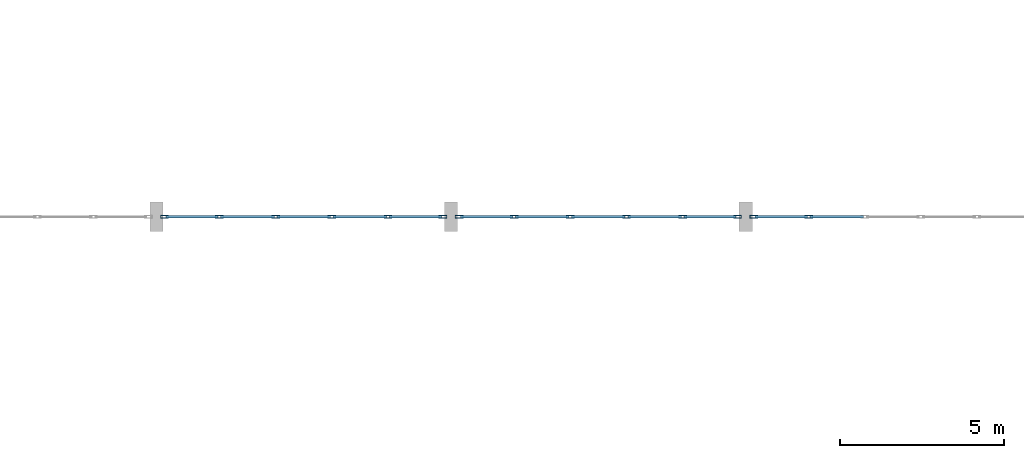
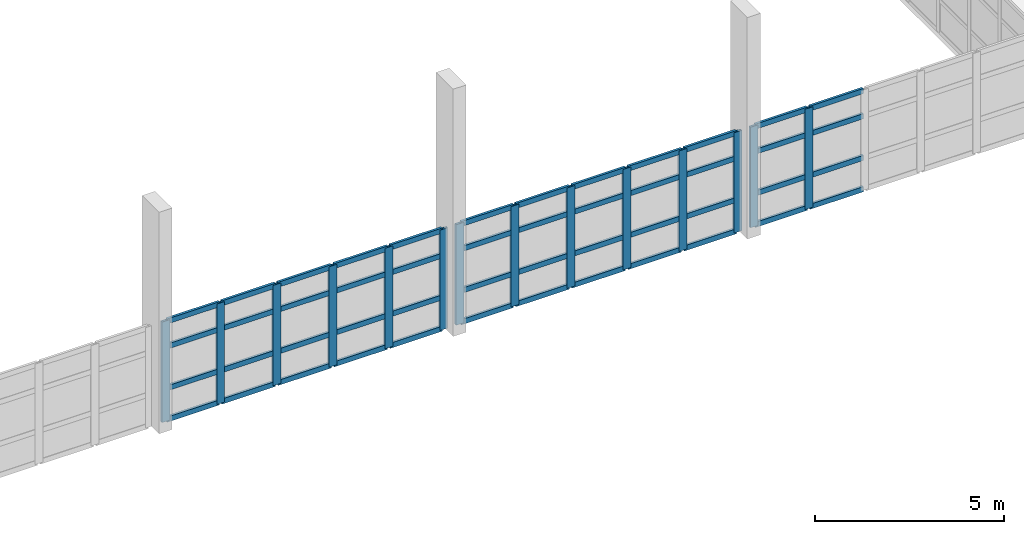
# One storey, part 10 of 80: 62 members, 3 elements without a shape of their own.
"""IFC4 building model written with IfcOpenShell, lengths in metres."""

import ifcopenshell
import ifcopenshell.guid

model = None  # the IFC model being written
_history = None  # IfcOwnerHistory: only IFC2X3 demands one
_inside = {}  # id of a spatial element -> (the spatial element, [elements in it])
_under = {}  # id of a project, library or spatial element -> (it, [spatial elements below it])
_declared = {}  # id of a project -> (the project, [libraries it declares])
_typed = {}  # id of a type object -> (the type object, [elements of that type])
_made_of = {}  # id of a material, layer set ... -> (it, [elements and type objects made of it])


def new_model(schema):
    """Start an empty IFC model of exactly this schema.

    Asked for "IFC4X3", IfcOpenShell would pick the latest addendum, in which some entities
    have other attributes; the version numbers below select the first issue.
    IFC2X3 requires an IfcOwnerHistory on every rooted entity: one is made here for all.
    """
    global model, _history
    if schema == "IFC4X3":
        model = ifcopenshell.file(schema_version=(4, 3, 0, 0))
    else:
        model = ifcopenshell.file(schema=schema)
    _inside.clear()
    _under.clear()
    _declared.clear()
    _typed.clear()
    _made_of.clear()
    _history = None
    if model.schema == "IFC2X3":
        org = make("IfcOrganization", Name="unknown")
        user = make(
            "IfcPersonAndOrganization",
            ThePerson=make("IfcPerson", FamilyName="unknown"),
            TheOrganization=org,
        )
        app = make(
            "IfcApplication",
            ApplicationDeveloper=org,
            Version="unknown",
            ApplicationFullName="unknown",
            ApplicationIdentifier="unknown",
        )
        _history = make(
            "IfcOwnerHistory",
            OwningUser=user,
            OwningApplication=app,
            ChangeAction="ADDED",
            CreationDate=0,
        )
    return model


def make(cls, **values):
    """One entity of the class cls with the attributes given. An attribute that is None is left unset."""
    return model.create_entity(
        cls, **{name: value for name, value in values.items() if value is not None}
    )


def rooted(cls, **values):
    """An entity with a GlobalId (a new one), such as an element, a storey or a relation."""
    return make(cls, GlobalId=ifcopenshell.guid.new(), OwnerHistory=_history, **values)


def si_unit(unit_type, name, prefix=None):
    """IfcSIUnit, for example si_unit("LENGTHUNIT", "METRE", prefix="MILLI")."""
    return make("IfcSIUnit", UnitType=unit_type, Prefix=prefix, Name=name)


def assignment(units):
    """IfcUnitAssignment: the units of a project."""
    return None if units is None else make("IfcUnitAssignment", Units=units)


def point(xyz):
    """IfcCartesianPoint."""
    return None if xyz is None else make("IfcCartesianPoint", Coordinates=xyz)


def direction(xyz):
    """IfcDirection."""
    return None if xyz is None else make("IfcDirection", DirectionRatios=xyz)


def frame(location, z_axis=None, x_axis=None):
    """IfcAxis2Placement3D, a coordinate frame: its origin and axes. An axis left out is left unset."""
    return make(
        "IfcAxis2Placement3D",
        Location=point(location),
        Axis=direction(z_axis),
        RefDirection=direction(x_axis),
    )


def frame_2d(location, x_axis=None):
    """IfcAxis2Placement2D, a coordinate frame in the plane: its origin and x axis."""
    return make(
        "IfcAxis2Placement2D", Location=point(location), RefDirection=direction(x_axis)
    )


def origin():
    """The frame at (0, 0, 0) with its axes left unset."""
    return frame((0.0, 0.0, 0.0))


def origin_2d():
    """The frame at (0, 0) in the plane with its x axis left unset."""
    return frame_2d((0.0, 0.0))


def place(relative_to, where):
    """IfcLocalPlacement: puts the frame where relative to a parent placement (None: the world)."""
    return make(
        "IfcLocalPlacement", PlacementRelTo=relative_to, RelativePlacement=where
    )


def context(
    kind, dimensions, precision=None, world=None, true_north=None, identifier=None
):
    """IfcGeometricRepresentationContext, for example the 3D "Model" context."""
    return make(
        "IfcGeometricRepresentationContext",
        ContextIdentifier=identifier,
        ContextType=kind,
        CoordinateSpaceDimension=dimensions,
        Precision=precision,
        WorldCoordinateSystem=world,
        TrueNorth=true_north,
    )


def subcontext(parent, identifier, kind, view, scale=None):
    """IfcGeometricRepresentationSubContext, for example "Body" below "Model"."""
    return make(
        "IfcGeometricRepresentationSubContext",
        ContextIdentifier=identifier,
        ContextType=kind,
        ParentContext=parent,
        TargetScale=scale,
        TargetView=view,
    )


def project(units=None, contexts=None):
    """IfcProject with its units and contexts."""
    return rooted(
        "IfcProject",
        Name="project",
        RepresentationContexts=contexts,
        UnitsInContext=assignment(units),
    )


def spatial(cls, under=None, at=None, **own):
    """A site, building, storey or space (cls), placed at a placement, below another one or the project."""
    s = rooted(cls, ObjectPlacement=at, **own)
    if under is not None:
        _under.setdefault(under.id(), (under, []))[1].append(s)
    return s


def profile(cls, at=None, kind="AREA", **sizes):
    """A parametric profile (cls). Its sizes go by their IFC names, for example OverallWidth=200.0."""
    return make(cls, ProfileType=kind, Position=at, **sizes)


def hollow_rectangle(**sizes):
    """IfcRectangleHollowProfileDef."""
    return profile("IfcRectangleHollowProfileDef", **sizes)


def extrude(swept, where, along, depth):
    """IfcExtrudedAreaSolid: the profile swept, set in the frame where, extruded along a direction by depth."""
    return make(
        "IfcExtrudedAreaSolid",
        SweptArea=swept,
        Position=where,
        ExtrudedDirection=direction(along),
        Depth=depth,
    )


def shape(context_of_items, identifier, shape_type, items):
    """IfcShapeRepresentation: the items that make up one representation, for example the "Body"."""
    return make(
        "IfcShapeRepresentation",
        ContextOfItems=context_of_items,
        RepresentationIdentifier=identifier,
        RepresentationType=shape_type,
        Items=items,
    )


def material(Name=None, Category=None):
    """IfcMaterial."""
    return make("IfcMaterial", Name=Name, Category=Category)


def layer(
    of_material, thickness, ventilated=None, Name=None, Category=None, Priority=None
):
    """IfcMaterialLayer: one layer of a wall or slab, of a material (None: an air gap)."""
    return make(
        "IfcMaterialLayer",
        Material=of_material,
        LayerThickness=thickness,
        IsVentilated=ventilated,
        Name=Name,
        Category=Category,
        Priority=Priority,
    )


def layer_set(layers, Name=None):
    """IfcMaterialLayerSet."""
    return make("IfcMaterialLayerSet", MaterialLayers=layers, LayerSetName=Name)


def material_profile(
    of_material, cross_section, Name=None, Category=None, Priority=None
):
    """IfcMaterialProfile: a cross section and its material."""
    return make(
        "IfcMaterialProfile",
        Name=Name,
        Material=of_material,
        Profile=cross_section,
        Priority=Priority,
        Category=Category,
    )


def profile_set(profiles, Name=None, composite=None):
    """IfcMaterialProfileSet."""
    return make(
        "IfcMaterialProfileSet",
        Name=Name,
        MaterialProfiles=profiles,
        CompositeProfile=composite,
    )


def made_of(thing, what):
    """Note that an element or type object is made of a material, layer set ...; save() writes the relation."""
    if what is not None:
        _made_of.setdefault(what.id(), (what, []))[1].append(thing)
    return thing


def type_object(cls, material=None, **own):
    """A type object (cls), such as IfcWallType, which elements share."""
    return made_of(rooted(cls, **own), material)


def element(
    cls,
    number,
    at=None,
    inside=None,
    cuts=None,
    type_object=None,
    material=None,
    context=None,
    identifier="Body",
    shape_type=None,
    held_by="IfcProductDefinitionShape",
    body=None,
    shapes=None,
    **own,
):
    """One element of the class cls, such as IfcWall. Its Tag is "e" and its number.

    at: its placement. inside: the storey or other place that contains it. cuts: it is an
    opening in that element (IfcRelVoidsElement). A single representation is given by context,
    identifier, shape_type and body (its items); several are given by shapes. held_by: the class
    of the entity that holds the representations. save() writes the other relations.
    """
    e = rooted(cls, Tag="e%d" % number, ObjectPlacement=at, **own)
    if body is not None:
        shapes = [shape(context, identifier, shape_type, body)]
    if shapes is not None:
        e.Representation = make(held_by, Representations=shapes)
    if inside is not None:
        _inside.setdefault(inside.id(), (inside, []))[1].append(e)
    if cuts is not None:
        rooted(
            "IfcRelVoidsElement", RelatingBuildingElement=cuts, RelatedOpeningElement=e
        )
    if type_object is not None:
        _typed.setdefault(type_object.id(), (type_object, []))[1].append(e)
    return made_of(e, material)


def aggregate(whole, parts):
    """IfcRelAggregates: a whole, such as a stair, and the parts it consists of."""
    return rooted("IfcRelAggregates", RelatingObject=whole, RelatedObjects=parts)


def save(model, path):
    """Write the relations noted so far, then the file.

    IfcRelAggregates (storeys below a building ...), IfcRelContainedInSpatialStructure (elements
    in a storey), IfcRelDefinesByType, IfcRelAssociatesMaterial and IfcRelDeclares: one each for
    every whole, place, type object, material and project.
    """
    for whole, parts in _under.values():
        aggregate(whole, parts)
    for where, things in _inside.values():
        rooted(
            "IfcRelContainedInSpatialStructure",
            RelatedElements=things,
            RelatingStructure=where,
        )
    for kind, things in _typed.values():
        rooted("IfcRelDefinesByType", RelatedObjects=things, RelatingType=kind)
    for what, things in _made_of.values():
        rooted("IfcRelAssociatesMaterial", RelatedObjects=things, RelatingMaterial=what)
    for by, libraries in _declared.values():
        rooted("IfcRelDeclares", RelatingContext=by, RelatedDefinitions=libraries)
    model.write(path)


model = new_model("IFC4")

# Units and contexts
model_context = context("Model", 3, precision=1e-05, world=origin(), true_north=direction((0.0, 1.0)))
body_context = subcontext(model_context, "Body", "Model", "MODEL_VIEW")
ifc_project = project(units=[si_unit("LENGTHUNIT", "METRE"), si_unit("AREAUNIT", "SQUARE_METRE"), si_unit("VOLUMEUNIT", "CUBIC_METRE"), si_unit("PLANEANGLEUNIT", "RADIAN"), si_unit("MASSUNIT", "GRAM", prefix="KILO")], contexts=[model_context])

# Site, building, storey
site_placement = place(None, origin())
site = spatial("IfcSite", under=ifc_project, at=site_placement, CompositionType="ELEMENT")
building_placement = place(site_placement, origin())
building = spatial("IfcBuilding", under=site, at=building_placement, Name="Ornek Quay Market", CompositionType="ELEMENT")
storey_placement = place(building_placement, frame((0.0, 0.0, 8.39990234375)))
storey = spatial("IfcBuildingStorey", under=building, at=storey_placement, Name="L02", CompositionType="ELEMENT", Elevation=8.39990234375)

# Curtain wall, members
ifc_material_1 = material(Name="Anodised bronze aluminium and triple low-e glass", Category="aluminium")
ifc_layer = layer(ifc_material_1, 0.239990234375, Name="Anodised bronze aluminium and triple low-e glass", Category="aluminium")
ifc_layer_set = layer_set([ifc_layer], Name="Anodised bronze aluminium and triple low-e glass")
curtain_wall_type = type_object("IfcCurtainWallType", Name="CW-GAB-MOD1800", PredefinedType="USERDEFINED", material=ifc_layer_set)
curtain_wall_1_placement = place(storey_placement, origin())
curtain_wall_1 = element("IfcCurtainWall", 1, at=curtain_wall_1_placement, inside=storey, type_object=curtain_wall_type, Name="Curtain wall CW-069", ObjectType="CURTAIN WALL", PredefinedType="USERDEFINED")
ifc_material_2 = material(Name="Anodised aluminium 6063-T6", Category="aluminium")
ifc_material_profile_1 = material_profile(ifc_material_2, hollow_rectangle(XDim=0.080078125, YDim=0.239990234375, WallThickness=0.006103515625, at=origin_2d()), Name="CW-MUL-80x240", Category="aluminium")
ifc_profile_set_1 = profile_set([ifc_material_profile_1], Name="Anodised aluminium 6063-T6")
member_type_1 = type_object("IfcMemberType", Name="CW-MUL-80x240", PredefinedType="MULLION", material=ifc_profile_set_1)
member_1_placement = place(storey_placement, frame((81.25, 29.0, 0.0), z_axis=(0.0, 0.0, 1.0), x_axis=(0.0, 1.0, 0.0)))
member_1 = element("IfcMember", 2, at=member_1_placement, type_object=member_type_1, Name="CW-069 mullion 1", PredefinedType="MULLION", context=body_context, shape_type="SweptSolid", body=[
    extrude(hollow_rectangle(XDim=0.080078125, YDim=0.239990234375, WallThickness=0.006103515625, at=origin_2d()), origin(), (0.0, 0.0, 1.0), 3.25),
])
member_2_placement = place(storey_placement, frame((82.926025390625, 29.0, 0.0), z_axis=(0.0, 0.0, 1.0), x_axis=(0.0, 1.0, 0.0)))
member_2 = element("IfcMember", 3, at=member_2_placement, type_object=member_type_1, Name="CW-069 mullion 2", PredefinedType="MULLION", context=body_context, shape_type="SweptSolid", body=[
    extrude(hollow_rectangle(XDim=0.080078125, YDim=0.239990234375, WallThickness=0.006103515625, at=origin_2d()), origin(), (0.0, 0.0, 1.0), 3.25),
])
member_3_placement = place(storey_placement, frame((84.64208984375, 29.0, 0.0), z_axis=(0.0, 0.0, 1.0), x_axis=(0.0, 1.0, 0.0)))
member_3 = element("IfcMember", 4, at=member_3_placement, type_object=member_type_1, Name="CW-069 mullion 3", PredefinedType="MULLION", context=body_context, shape_type="SweptSolid", body=[
    extrude(hollow_rectangle(XDim=0.080078125, YDim=0.239990234375, WallThickness=0.006103515625, at=origin_2d()), origin(), (0.0, 0.0, 1.0), 3.25),
])
member_4_placement = place(storey_placement, frame((86.35791015625, 29.0, 0.0), z_axis=(0.0, 0.0, 1.0), x_axis=(0.0, 1.0, 0.0)))
member_4 = element("IfcMember", 5, at=member_4_placement, type_object=member_type_1, Name="CW-069 mullion 4", PredefinedType="MULLION", context=body_context, shape_type="SweptSolid", body=[
    extrude(hollow_rectangle(XDim=0.080078125, YDim=0.239990234375, WallThickness=0.006103515625, at=origin_2d()), origin(), (0.0, 0.0, 1.0), 3.25),
])
member_5_placement = place(storey_placement, frame((88.073974609375, 29.0, 0.0), z_axis=(0.0, 0.0, 1.0), x_axis=(0.0, 1.0, 0.0)))
member_5 = element("IfcMember", 6, at=member_5_placement, type_object=member_type_1, Name="CW-069 mullion 5", PredefinedType="MULLION", context=body_context, shape_type="SweptSolid", body=[
    extrude(hollow_rectangle(XDim=0.080078125, YDim=0.239990234375, WallThickness=0.006103515625, at=origin_2d()), origin(), (0.0, 0.0, 1.0), 3.25),
])
member_6_placement = place(storey_placement, frame((89.75, 29.0, 0.0), z_axis=(0.0, 0.0, 1.0), x_axis=(0.0, 1.0, 0.0)))
member_6 = element("IfcMember", 7, at=member_6_placement, type_object=member_type_1, Name="CW-069 mullion 6", PredefinedType="MULLION", context=body_context, shape_type="SweptSolid", body=[
    extrude(hollow_rectangle(XDim=0.080078125, YDim=0.239990234375, WallThickness=0.006103515625, at=origin_2d()), origin(), (0.0, 0.0, 1.0), 3.25),
])

curtain_wall_2_placement = place(storey_placement, origin())
curtain_wall_2 = element("IfcCurtainWall", 8, at=curtain_wall_2_placement, inside=storey, type_object=curtain_wall_type, Name="Curtain wall CW-072", ObjectType="CURTAIN WALL", PredefinedType="USERDEFINED")
member_7_placement = place(storey_placement, frame((90.25, 29.0, 0.0), z_axis=(0.0, 0.0, 1.0), x_axis=(0.0, 1.0, 0.0)))
member_7 = element("IfcMember", 9, at=member_7_placement, type_object=member_type_1, Name="CW-072 mullion 1", PredefinedType="MULLION", context=body_context, shape_type="SweptSolid", body=[
    extrude(hollow_rectangle(XDim=0.080078125, YDim=0.239990234375, WallThickness=0.006103515625, at=origin_2d()), origin(), (0.0, 0.0, 1.0), 3.25),
])
member_8_placement = place(storey_placement, frame((91.926025390625, 29.0, 0.0), z_axis=(0.0, 0.0, 1.0), x_axis=(0.0, 1.0, 0.0)))
member_8 = element("IfcMember", 10, at=member_8_placement, type_object=member_type_1, Name="CW-072 mullion 2", PredefinedType="MULLION", context=body_context, shape_type="SweptSolid", body=[
    extrude(hollow_rectangle(XDim=0.080078125, YDim=0.239990234375, WallThickness=0.006103515625, at=origin_2d()), origin(), (0.0, 0.0, 1.0), 3.25),
])
member_9_placement = place(storey_placement, frame((93.64208984375, 29.0, 0.0), z_axis=(0.0, 0.0, 1.0), x_axis=(0.0, 1.0, 0.0)))
member_9 = element("IfcMember", 11, at=member_9_placement, type_object=member_type_1, Name="CW-072 mullion 3", PredefinedType="MULLION", context=body_context, shape_type="SweptSolid", body=[
    extrude(hollow_rectangle(XDim=0.080078125, YDim=0.239990234375, WallThickness=0.006103515625, at=origin_2d()), origin(), (0.0, 0.0, 1.0), 3.25),
])
member_10_placement = place(storey_placement, frame((95.35791015625, 29.0, 0.0), z_axis=(0.0, 0.0, 1.0), x_axis=(0.0, 1.0, 0.0)))
member_10 = element("IfcMember", 12, at=member_10_placement, type_object=member_type_1, Name="CW-072 mullion 4", PredefinedType="MULLION", context=body_context, shape_type="SweptSolid", body=[
    extrude(hollow_rectangle(XDim=0.080078125, YDim=0.239990234375, WallThickness=0.006103515625, at=origin_2d()), origin(), (0.0, 0.0, 1.0), 3.25),
])
member_11_placement = place(storey_placement, frame((97.073974609375, 29.0, 0.0), z_axis=(0.0, 0.0, 1.0), x_axis=(0.0, 1.0, 0.0)))
member_11 = element("IfcMember", 13, at=member_11_placement, type_object=member_type_1, Name="CW-072 mullion 5", PredefinedType="MULLION", context=body_context, shape_type="SweptSolid", body=[
    extrude(hollow_rectangle(XDim=0.080078125, YDim=0.239990234375, WallThickness=0.006103515625, at=origin_2d()), origin(), (0.0, 0.0, 1.0), 3.25),
])
member_12_placement = place(storey_placement, frame((98.75, 29.0, 0.0), z_axis=(0.0, 0.0, 1.0), x_axis=(0.0, 1.0, 0.0)))
member_12 = element("IfcMember", 14, at=member_12_placement, type_object=member_type_1, Name="CW-072 mullion 6", PredefinedType="MULLION", context=body_context, shape_type="SweptSolid", body=[
    extrude(hollow_rectangle(XDim=0.080078125, YDim=0.239990234375, WallThickness=0.006103515625, at=origin_2d()), origin(), (0.0, 0.0, 1.0), 3.25),
])

curtain_wall_3_placement = place(storey_placement, origin())
curtain_wall_3 = element("IfcCurtainWall", 15, at=curtain_wall_3_placement, inside=storey, type_object=curtain_wall_type, Name="Curtain wall CW-075", ObjectType="CURTAIN WALL", PredefinedType="USERDEFINED")
member_13_placement = place(storey_placement, frame((99.25, 29.0, 0.0), z_axis=(0.0, 0.0, 1.0), x_axis=(0.0, 1.0, 0.0)))
member_13 = element("IfcMember", 16, at=member_13_placement, type_object=member_type_1, Name="CW-075 mullion 1", PredefinedType="MULLION", context=body_context, shape_type="SweptSolid", body=[
    extrude(hollow_rectangle(XDim=0.080078125, YDim=0.239990234375, WallThickness=0.006103515625, at=origin_2d()), origin(), (0.0, 0.0, 1.0), 3.25),
])
member_14_placement = place(storey_placement, frame((100.922119140625, 29.0, 0.0), z_axis=(0.0, 0.0, 1.0), x_axis=(0.0, 1.0, 0.0)))
member_14 = element("IfcMember", 17, at=member_14_placement, type_object=member_type_1, Name="CW-075 mullion 2", PredefinedType="MULLION", context=body_context, shape_type="SweptSolid", body=[
    extrude(hollow_rectangle(XDim=0.080078125, YDim=0.239990234375, WallThickness=0.006103515625, at=origin_2d()), origin(), (0.0, 0.0, 1.0), 3.25),
])

# Member
ifc_material_profile_2 = material_profile(ifc_material_2, hollow_rectangle(XDim=0.074951171875, YDim=0.1650390625, WallThickness=0.0048828125, at=origin_2d()), Name="CW-TRN-75x165", Category="aluminium")
ifc_profile_set_2 = profile_set([ifc_material_profile_2], Name="Anodised aluminium 6063-T6")
member_type_2 = type_object("IfcMemberType", Name="CW-TRN-75x165", PredefinedType="USERDEFINED", material=ifc_profile_set_2)
member_15_placement = place(storey_placement, frame((81.2900390625, 29.0, 0.03759765625), z_axis=(1.0, 0.0, 0.0), x_axis=(0.0, 1.0, 0.0)))
member_15 = element("IfcMember", 18, at=member_15_placement, type_object=member_type_2, Name="CW-069 transom 1.1", ObjectType="TRANSOM", PredefinedType="USERDEFINED", context=body_context, shape_type="SweptSolid", body=[
    extrude(hollow_rectangle(XDim=0.074951171875, YDim=0.1650390625, WallThickness=0.0048828125, at=origin_2d()), origin(), (0.0, 0.0, 1.0), 1.595947265625),
])

member_16_placement = place(storey_placement, frame((81.2900390625, 29.0, 1.050048828125), z_axis=(1.0, 0.0, 0.0), x_axis=(0.0, 1.0, 0.0)))
member_16 = element("IfcMember", 19, at=member_16_placement, type_object=member_type_2, Name="CW-069 transom 1.2", ObjectType="TRANSOM", PredefinedType="USERDEFINED", context=body_context, shape_type="SweptSolid", body=[
    extrude(hollow_rectangle(XDim=0.074951171875, YDim=0.1650390625, WallThickness=0.0048828125, at=origin_2d()), origin(), (0.0, 0.0, 1.0), 1.595947265625),
])

member_17_placement = place(storey_placement, frame((81.2900390625, 29.0, 2.400146484375), z_axis=(1.0, 0.0, 0.0), x_axis=(0.0, 1.0, 0.0)))
member_17 = element("IfcMember", 20, at=member_17_placement, type_object=member_type_2, Name="CW-069 transom 1.3", ObjectType="TRANSOM", PredefinedType="USERDEFINED", context=body_context, shape_type="SweptSolid", body=[
    extrude(hollow_rectangle(XDim=0.074951171875, YDim=0.1650390625, WallThickness=0.0048828125, at=origin_2d()), origin(), (0.0, 0.0, 1.0), 1.595947265625),
])

member_18_placement = place(storey_placement, frame((81.2900390625, 29.0, 3.212646484375), z_axis=(1.0, 0.0, 0.0), x_axis=(0.0, 1.0, 0.0)))
member_18 = element("IfcMember", 21, at=member_18_placement, type_object=member_type_2, Name="CW-069 transom 1.4", ObjectType="TRANSOM", PredefinedType="USERDEFINED", context=body_context, shape_type="SweptSolid", body=[
    extrude(hollow_rectangle(XDim=0.074951171875, YDim=0.1650390625, WallThickness=0.0048828125, at=origin_2d()), origin(), (0.0, 0.0, 1.0), 1.595947265625),
])

member_19_placement = place(storey_placement, frame((82.966064453125, 29.0, 0.03759765625), z_axis=(1.0, 0.0, 0.0), x_axis=(0.0, 1.0, 0.0)))
member_19 = element("IfcMember", 22, at=member_19_placement, type_object=member_type_2, Name="CW-069 transom 2.1", ObjectType="TRANSOM", PredefinedType="USERDEFINED", context=body_context, shape_type="SweptSolid", body=[
    extrude(hollow_rectangle(XDim=0.074951171875, YDim=0.1650390625, WallThickness=0.0048828125, at=origin_2d()), origin(), (0.0, 0.0, 1.0), 1.635986328125),
])

member_20_placement = place(storey_placement, frame((82.966064453125, 29.0, 1.050048828125), z_axis=(1.0, 0.0, 0.0), x_axis=(0.0, 1.0, 0.0)))
member_20 = element("IfcMember", 23, at=member_20_placement, type_object=member_type_2, Name="CW-069 transom 2.2", ObjectType="TRANSOM", PredefinedType="USERDEFINED", context=body_context, shape_type="SweptSolid", body=[
    extrude(hollow_rectangle(XDim=0.074951171875, YDim=0.1650390625, WallThickness=0.0048828125, at=origin_2d()), origin(), (0.0, 0.0, 1.0), 1.635986328125),
])

member_21_placement = place(storey_placement, frame((82.966064453125, 29.0, 2.400146484375), z_axis=(1.0, 0.0, 0.0), x_axis=(0.0, 1.0, 0.0)))
member_21 = element("IfcMember", 24, at=member_21_placement, type_object=member_type_2, Name="CW-069 transom 2.3", ObjectType="TRANSOM", PredefinedType="USERDEFINED", context=body_context, shape_type="SweptSolid", body=[
    extrude(hollow_rectangle(XDim=0.074951171875, YDim=0.1650390625, WallThickness=0.0048828125, at=origin_2d()), origin(), (0.0, 0.0, 1.0), 1.635986328125),
])

member_22_placement = place(storey_placement, frame((82.966064453125, 29.0, 3.212646484375), z_axis=(1.0, 0.0, 0.0), x_axis=(0.0, 1.0, 0.0)))
member_22 = element("IfcMember", 25, at=member_22_placement, type_object=member_type_2, Name="CW-069 transom 2.4", ObjectType="TRANSOM", PredefinedType="USERDEFINED", context=body_context, shape_type="SweptSolid", body=[
    extrude(hollow_rectangle(XDim=0.074951171875, YDim=0.1650390625, WallThickness=0.0048828125, at=origin_2d()), origin(), (0.0, 0.0, 1.0), 1.635986328125),
])

member_23_placement = place(storey_placement, frame((84.681884765625, 29.0, 0.03759765625), z_axis=(1.0, 0.0, 0.0), x_axis=(0.0, 1.0, 0.0)))
member_23 = element("IfcMember", 26, at=member_23_placement, type_object=member_type_2, Name="CW-069 transom 3.1", ObjectType="TRANSOM", PredefinedType="USERDEFINED", context=body_context, shape_type="SweptSolid", body=[
    extrude(hollow_rectangle(XDim=0.074951171875, YDim=0.1650390625, WallThickness=0.0048828125, at=origin_2d()), origin(), (0.0, 0.0, 1.0), 1.63623046875),
])

member_24_placement = place(storey_placement, frame((84.681884765625, 29.0, 1.050048828125), z_axis=(1.0, 0.0, 0.0), x_axis=(0.0, 1.0, 0.0)))
member_24 = element("IfcMember", 27, at=member_24_placement, type_object=member_type_2, Name="CW-069 transom 3.2", ObjectType="TRANSOM", PredefinedType="USERDEFINED", context=body_context, shape_type="SweptSolid", body=[
    extrude(hollow_rectangle(XDim=0.074951171875, YDim=0.1650390625, WallThickness=0.0048828125, at=origin_2d()), origin(), (0.0, 0.0, 1.0), 1.63623046875),
])

member_25_placement = place(storey_placement, frame((84.681884765625, 29.0, 2.400146484375), z_axis=(1.0, 0.0, 0.0), x_axis=(0.0, 1.0, 0.0)))
member_25 = element("IfcMember", 28, at=member_25_placement, type_object=member_type_2, Name="CW-069 transom 3.3", ObjectType="TRANSOM", PredefinedType="USERDEFINED", context=body_context, shape_type="SweptSolid", body=[
    extrude(hollow_rectangle(XDim=0.074951171875, YDim=0.1650390625, WallThickness=0.0048828125, at=origin_2d()), origin(), (0.0, 0.0, 1.0), 1.63623046875),
])

member_26_placement = place(storey_placement, frame((84.681884765625, 29.0, 3.212646484375), z_axis=(1.0, 0.0, 0.0), x_axis=(0.0, 1.0, 0.0)))
member_26 = element("IfcMember", 29, at=member_26_placement, type_object=member_type_2, Name="CW-069 transom 3.4", ObjectType="TRANSOM", PredefinedType="USERDEFINED", context=body_context, shape_type="SweptSolid", body=[
    extrude(hollow_rectangle(XDim=0.074951171875, YDim=0.1650390625, WallThickness=0.0048828125, at=origin_2d()), origin(), (0.0, 0.0, 1.0), 1.63623046875),
])

member_27_placement = place(storey_placement, frame((86.39794921875, 29.0, 0.03759765625), z_axis=(1.0, 0.0, 0.0), x_axis=(0.0, 1.0, 0.0)))
member_27 = element("IfcMember", 30, at=member_27_placement, type_object=member_type_2, Name="CW-069 transom 4.1", ObjectType="TRANSOM", PredefinedType="USERDEFINED", context=body_context, shape_type="SweptSolid", body=[
    extrude(hollow_rectangle(XDim=0.074951171875, YDim=0.1650390625, WallThickness=0.0048828125, at=origin_2d()), origin(), (0.0, 0.0, 1.0), 1.635986328125),
])

member_28_placement = place(storey_placement, frame((86.39794921875, 29.0, 1.050048828125), z_axis=(1.0, 0.0, 0.0), x_axis=(0.0, 1.0, 0.0)))
member_28 = element("IfcMember", 31, at=member_28_placement, type_object=member_type_2, Name="CW-069 transom 4.2", ObjectType="TRANSOM", PredefinedType="USERDEFINED", context=body_context, shape_type="SweptSolid", body=[
    extrude(hollow_rectangle(XDim=0.074951171875, YDim=0.1650390625, WallThickness=0.0048828125, at=origin_2d()), origin(), (0.0, 0.0, 1.0), 1.635986328125),
])

member_29_placement = place(storey_placement, frame((86.39794921875, 29.0, 2.400146484375), z_axis=(1.0, 0.0, 0.0), x_axis=(0.0, 1.0, 0.0)))
member_29 = element("IfcMember", 32, at=member_29_placement, type_object=member_type_2, Name="CW-069 transom 4.3", ObjectType="TRANSOM", PredefinedType="USERDEFINED", context=body_context, shape_type="SweptSolid", body=[
    extrude(hollow_rectangle(XDim=0.074951171875, YDim=0.1650390625, WallThickness=0.0048828125, at=origin_2d()), origin(), (0.0, 0.0, 1.0), 1.635986328125),
])

member_30_placement = place(storey_placement, frame((86.39794921875, 29.0, 3.212646484375), z_axis=(1.0, 0.0, 0.0), x_axis=(0.0, 1.0, 0.0)))
member_30 = element("IfcMember", 33, at=member_30_placement, type_object=member_type_2, Name="CW-069 transom 4.4", ObjectType="TRANSOM", PredefinedType="USERDEFINED", context=body_context, shape_type="SweptSolid", body=[
    extrude(hollow_rectangle(XDim=0.074951171875, YDim=0.1650390625, WallThickness=0.0048828125, at=origin_2d()), origin(), (0.0, 0.0, 1.0), 1.635986328125),
])

member_31_placement = place(storey_placement, frame((88.114013671875, 29.0, 0.03759765625), z_axis=(1.0, 0.0, 0.0), x_axis=(0.0, 1.0, 0.0)))
member_31 = element("IfcMember", 34, at=member_31_placement, type_object=member_type_2, Name="CW-069 transom 5.1", ObjectType="TRANSOM", PredefinedType="USERDEFINED", context=body_context, shape_type="SweptSolid", body=[
    extrude(hollow_rectangle(XDim=0.074951171875, YDim=0.1650390625, WallThickness=0.0048828125, at=origin_2d()), origin(), (0.0, 0.0, 1.0), 1.595947265625),
])

member_32_placement = place(storey_placement, frame((88.114013671875, 29.0, 1.050048828125), z_axis=(1.0, 0.0, 0.0), x_axis=(0.0, 1.0, 0.0)))
member_32 = element("IfcMember", 35, at=member_32_placement, type_object=member_type_2, Name="CW-069 transom 5.2", ObjectType="TRANSOM", PredefinedType="USERDEFINED", context=body_context, shape_type="SweptSolid", body=[
    extrude(hollow_rectangle(XDim=0.074951171875, YDim=0.1650390625, WallThickness=0.0048828125, at=origin_2d()), origin(), (0.0, 0.0, 1.0), 1.595947265625),
])

member_33_placement = place(storey_placement, frame((88.114013671875, 29.0, 2.400146484375), z_axis=(1.0, 0.0, 0.0), x_axis=(0.0, 1.0, 0.0)))
member_33 = element("IfcMember", 36, at=member_33_placement, type_object=member_type_2, Name="CW-069 transom 5.3", ObjectType="TRANSOM", PredefinedType="USERDEFINED", context=body_context, shape_type="SweptSolid", body=[
    extrude(hollow_rectangle(XDim=0.074951171875, YDim=0.1650390625, WallThickness=0.0048828125, at=origin_2d()), origin(), (0.0, 0.0, 1.0), 1.595947265625),
])

member_34_placement = place(storey_placement, frame((88.114013671875, 29.0, 3.212646484375), z_axis=(1.0, 0.0, 0.0), x_axis=(0.0, 1.0, 0.0)))
member_34 = element("IfcMember", 37, at=member_34_placement, type_object=member_type_2, Name="CW-069 transom 5.4", ObjectType="TRANSOM", PredefinedType="USERDEFINED", context=body_context, shape_type="SweptSolid", body=[
    extrude(hollow_rectangle(XDim=0.074951171875, YDim=0.1650390625, WallThickness=0.0048828125, at=origin_2d()), origin(), (0.0, 0.0, 1.0), 1.595947265625),
])

aggregate(curtain_wall_1, [member_1, member_2, member_3, member_4, member_5, member_6, member_15, member_16, member_17, member_18, member_19, member_20, member_21, member_22, member_23, member_24, member_25, member_26, member_27, member_28, member_29, member_30, member_31, member_32, member_33, member_34])

member_35_placement = place(storey_placement, frame((90.2900390625, 29.0, 0.03759765625), z_axis=(1.0, 0.0, 0.0), x_axis=(0.0, 1.0, 0.0)))
member_35 = element("IfcMember", 38, at=member_35_placement, type_object=member_type_2, Name="CW-072 transom 1.1", ObjectType="TRANSOM", PredefinedType="USERDEFINED", context=body_context, shape_type="SweptSolid", body=[
    extrude(hollow_rectangle(XDim=0.074951171875, YDim=0.1650390625, WallThickness=0.0048828125, at=origin_2d()), origin(), (0.0, 0.0, 1.0), 1.595947265625),
])

member_36_placement = place(storey_placement, frame((90.2900390625, 29.0, 1.050048828125), z_axis=(1.0, 0.0, 0.0), x_axis=(0.0, 1.0, 0.0)))
member_36 = element("IfcMember", 39, at=member_36_placement, type_object=member_type_2, Name="CW-072 transom 1.2", ObjectType="TRANSOM", PredefinedType="USERDEFINED", context=body_context, shape_type="SweptSolid", body=[
    extrude(hollow_rectangle(XDim=0.074951171875, YDim=0.1650390625, WallThickness=0.0048828125, at=origin_2d()), origin(), (0.0, 0.0, 1.0), 1.595947265625),
])

member_37_placement = place(storey_placement, frame((90.2900390625, 29.0, 2.400146484375), z_axis=(1.0, 0.0, 0.0), x_axis=(0.0, 1.0, 0.0)))
member_37 = element("IfcMember", 40, at=member_37_placement, type_object=member_type_2, Name="CW-072 transom 1.3", ObjectType="TRANSOM", PredefinedType="USERDEFINED", context=body_context, shape_type="SweptSolid", body=[
    extrude(hollow_rectangle(XDim=0.074951171875, YDim=0.1650390625, WallThickness=0.0048828125, at=origin_2d()), origin(), (0.0, 0.0, 1.0), 1.595947265625),
])

member_38_placement = place(storey_placement, frame((90.2900390625, 29.0, 3.212646484375), z_axis=(1.0, 0.0, 0.0), x_axis=(0.0, 1.0, 0.0)))
member_38 = element("IfcMember", 41, at=member_38_placement, type_object=member_type_2, Name="CW-072 transom 1.4", ObjectType="TRANSOM", PredefinedType="USERDEFINED", context=body_context, shape_type="SweptSolid", body=[
    extrude(hollow_rectangle(XDim=0.074951171875, YDim=0.1650390625, WallThickness=0.0048828125, at=origin_2d()), origin(), (0.0, 0.0, 1.0), 1.595947265625),
])

member_39_placement = place(storey_placement, frame((91.966064453125, 29.0, 0.03759765625), z_axis=(1.0, 0.0, 0.0), x_axis=(0.0, 1.0, 0.0)))
member_39 = element("IfcMember", 42, at=member_39_placement, type_object=member_type_2, Name="CW-072 transom 2.1", ObjectType="TRANSOM", PredefinedType="USERDEFINED", context=body_context, shape_type="SweptSolid", body=[
    extrude(hollow_rectangle(XDim=0.074951171875, YDim=0.1650390625, WallThickness=0.0048828125, at=origin_2d()), origin(), (0.0, 0.0, 1.0), 1.635986328125),
])

member_40_placement = place(storey_placement, frame((91.966064453125, 29.0, 1.050048828125), z_axis=(1.0, 0.0, 0.0), x_axis=(0.0, 1.0, 0.0)))
member_40 = element("IfcMember", 43, at=member_40_placement, type_object=member_type_2, Name="CW-072 transom 2.2", ObjectType="TRANSOM", PredefinedType="USERDEFINED", context=body_context, shape_type="SweptSolid", body=[
    extrude(hollow_rectangle(XDim=0.074951171875, YDim=0.1650390625, WallThickness=0.0048828125, at=origin_2d()), origin(), (0.0, 0.0, 1.0), 1.635986328125),
])

member_41_placement = place(storey_placement, frame((91.966064453125, 29.0, 2.400146484375), z_axis=(1.0, 0.0, 0.0), x_axis=(0.0, 1.0, 0.0)))
member_41 = element("IfcMember", 44, at=member_41_placement, type_object=member_type_2, Name="CW-072 transom 2.3", ObjectType="TRANSOM", PredefinedType="USERDEFINED", context=body_context, shape_type="SweptSolid", body=[
    extrude(hollow_rectangle(XDim=0.074951171875, YDim=0.1650390625, WallThickness=0.0048828125, at=origin_2d()), origin(), (0.0, 0.0, 1.0), 1.635986328125),
])

member_42_placement = place(storey_placement, frame((91.966064453125, 29.0, 3.212646484375), z_axis=(1.0, 0.0, 0.0), x_axis=(0.0, 1.0, 0.0)))
member_42 = element("IfcMember", 45, at=member_42_placement, type_object=member_type_2, Name="CW-072 transom 2.4", ObjectType="TRANSOM", PredefinedType="USERDEFINED", context=body_context, shape_type="SweptSolid", body=[
    extrude(hollow_rectangle(XDim=0.074951171875, YDim=0.1650390625, WallThickness=0.0048828125, at=origin_2d()), origin(), (0.0, 0.0, 1.0), 1.635986328125),
])

member_43_placement = place(storey_placement, frame((93.681884765625, 29.0, 0.03759765625), z_axis=(1.0, 0.0, 0.0), x_axis=(0.0, 1.0, 0.0)))
member_43 = element("IfcMember", 46, at=member_43_placement, type_object=member_type_2, Name="CW-072 transom 3.1", ObjectType="TRANSOM", PredefinedType="USERDEFINED", context=body_context, shape_type="SweptSolid", body=[
    extrude(hollow_rectangle(XDim=0.074951171875, YDim=0.1650390625, WallThickness=0.0048828125, at=origin_2d()), origin(), (0.0, 0.0, 1.0), 1.63623046875),
])

member_44_placement = place(storey_placement, frame((93.681884765625, 29.0, 1.050048828125), z_axis=(1.0, 0.0, 0.0), x_axis=(0.0, 1.0, 0.0)))
member_44 = element("IfcMember", 47, at=member_44_placement, type_object=member_type_2, Name="CW-072 transom 3.2", ObjectType="TRANSOM", PredefinedType="USERDEFINED", context=body_context, shape_type="SweptSolid", body=[
    extrude(hollow_rectangle(XDim=0.074951171875, YDim=0.1650390625, WallThickness=0.0048828125, at=origin_2d()), origin(), (0.0, 0.0, 1.0), 1.63623046875),
])

member_45_placement = place(storey_placement, frame((93.681884765625, 29.0, 2.400146484375), z_axis=(1.0, 0.0, 0.0), x_axis=(0.0, 1.0, 0.0)))
member_45 = element("IfcMember", 48, at=member_45_placement, type_object=member_type_2, Name="CW-072 transom 3.3", ObjectType="TRANSOM", PredefinedType="USERDEFINED", context=body_context, shape_type="SweptSolid", body=[
    extrude(hollow_rectangle(XDim=0.074951171875, YDim=0.1650390625, WallThickness=0.0048828125, at=origin_2d()), origin(), (0.0, 0.0, 1.0), 1.63623046875),
])

member_46_placement = place(storey_placement, frame((93.681884765625, 29.0, 3.212646484375), z_axis=(1.0, 0.0, 0.0), x_axis=(0.0, 1.0, 0.0)))
member_46 = element("IfcMember", 49, at=member_46_placement, type_object=member_type_2, Name="CW-072 transom 3.4", ObjectType="TRANSOM", PredefinedType="USERDEFINED", context=body_context, shape_type="SweptSolid", body=[
    extrude(hollow_rectangle(XDim=0.074951171875, YDim=0.1650390625, WallThickness=0.0048828125, at=origin_2d()), origin(), (0.0, 0.0, 1.0), 1.63623046875),
])

member_47_placement = place(storey_placement, frame((95.39794921875, 29.0, 0.03759765625), z_axis=(1.0, 0.0, 0.0), x_axis=(0.0, 1.0, 0.0)))
member_47 = element("IfcMember", 50, at=member_47_placement, type_object=member_type_2, Name="CW-072 transom 4.1", ObjectType="TRANSOM", PredefinedType="USERDEFINED", context=body_context, shape_type="SweptSolid", body=[
    extrude(hollow_rectangle(XDim=0.074951171875, YDim=0.1650390625, WallThickness=0.0048828125, at=origin_2d()), origin(), (0.0, 0.0, 1.0), 1.635986328125),
])

member_48_placement = place(storey_placement, frame((95.39794921875, 29.0, 1.050048828125), z_axis=(1.0, 0.0, 0.0), x_axis=(0.0, 1.0, 0.0)))
member_48 = element("IfcMember", 51, at=member_48_placement, type_object=member_type_2, Name="CW-072 transom 4.2", ObjectType="TRANSOM", PredefinedType="USERDEFINED", context=body_context, shape_type="SweptSolid", body=[
    extrude(hollow_rectangle(XDim=0.074951171875, YDim=0.1650390625, WallThickness=0.0048828125, at=origin_2d()), origin(), (0.0, 0.0, 1.0), 1.635986328125),
])

member_49_placement = place(storey_placement, frame((95.39794921875, 29.0, 2.400146484375), z_axis=(1.0, 0.0, 0.0), x_axis=(0.0, 1.0, 0.0)))
member_49 = element("IfcMember", 52, at=member_49_placement, type_object=member_type_2, Name="CW-072 transom 4.3", ObjectType="TRANSOM", PredefinedType="USERDEFINED", context=body_context, shape_type="SweptSolid", body=[
    extrude(hollow_rectangle(XDim=0.074951171875, YDim=0.1650390625, WallThickness=0.0048828125, at=origin_2d()), origin(), (0.0, 0.0, 1.0), 1.635986328125),
])

member_50_placement = place(storey_placement, frame((95.39794921875, 29.0, 3.212646484375), z_axis=(1.0, 0.0, 0.0), x_axis=(0.0, 1.0, 0.0)))
member_50 = element("IfcMember", 53, at=member_50_placement, type_object=member_type_2, Name="CW-072 transom 4.4", ObjectType="TRANSOM", PredefinedType="USERDEFINED", context=body_context, shape_type="SweptSolid", body=[
    extrude(hollow_rectangle(XDim=0.074951171875, YDim=0.1650390625, WallThickness=0.0048828125, at=origin_2d()), origin(), (0.0, 0.0, 1.0), 1.635986328125),
])

member_51_placement = place(storey_placement, frame((97.114013671875, 29.0, 0.03759765625), z_axis=(1.0, 0.0, 0.0), x_axis=(0.0, 1.0, 0.0)))
member_51 = element("IfcMember", 54, at=member_51_placement, type_object=member_type_2, Name="CW-072 transom 5.1", ObjectType="TRANSOM", PredefinedType="USERDEFINED", context=body_context, shape_type="SweptSolid", body=[
    extrude(hollow_rectangle(XDim=0.074951171875, YDim=0.1650390625, WallThickness=0.0048828125, at=origin_2d()), origin(), (0.0, 0.0, 1.0), 1.595947265625),
])

member_52_placement = place(storey_placement, frame((97.114013671875, 29.0, 1.050048828125), z_axis=(1.0, 0.0, 0.0), x_axis=(0.0, 1.0, 0.0)))
member_52 = element("IfcMember", 55, at=member_52_placement, type_object=member_type_2, Name="CW-072 transom 5.2", ObjectType="TRANSOM", PredefinedType="USERDEFINED", context=body_context, shape_type="SweptSolid", body=[
    extrude(hollow_rectangle(XDim=0.074951171875, YDim=0.1650390625, WallThickness=0.0048828125, at=origin_2d()), origin(), (0.0, 0.0, 1.0), 1.595947265625),
])

member_53_placement = place(storey_placement, frame((97.114013671875, 29.0, 2.400146484375), z_axis=(1.0, 0.0, 0.0), x_axis=(0.0, 1.0, 0.0)))
member_53 = element("IfcMember", 56, at=member_53_placement, type_object=member_type_2, Name="CW-072 transom 5.3", ObjectType="TRANSOM", PredefinedType="USERDEFINED", context=body_context, shape_type="SweptSolid", body=[
    extrude(hollow_rectangle(XDim=0.074951171875, YDim=0.1650390625, WallThickness=0.0048828125, at=origin_2d()), origin(), (0.0, 0.0, 1.0), 1.595947265625),
])

member_54_placement = place(storey_placement, frame((97.114013671875, 29.0, 3.212646484375), z_axis=(1.0, 0.0, 0.0), x_axis=(0.0, 1.0, 0.0)))
member_54 = element("IfcMember", 57, at=member_54_placement, type_object=member_type_2, Name="CW-072 transom 5.4", ObjectType="TRANSOM", PredefinedType="USERDEFINED", context=body_context, shape_type="SweptSolid", body=[
    extrude(hollow_rectangle(XDim=0.074951171875, YDim=0.1650390625, WallThickness=0.0048828125, at=origin_2d()), origin(), (0.0, 0.0, 1.0), 1.595947265625),
])

aggregate(curtain_wall_2, [member_7, member_8, member_9, member_10, member_11, member_12, member_35, member_36, member_37, member_38, member_39, member_40, member_41, member_42, member_43, member_44, member_45, member_46, member_47, member_48, member_49, member_50, member_51, member_52, member_53, member_54])

member_55_placement = place(storey_placement, frame((99.2900390625, 29.0, 0.03759765625), z_axis=(1.0, 0.0, 0.0), x_axis=(0.0, 1.0, 0.0)))
member_55 = element("IfcMember", 58, at=member_55_placement, type_object=member_type_2, Name="CW-075 transom 1.1", ObjectType="TRANSOM", PredefinedType="USERDEFINED", context=body_context, shape_type="SweptSolid", body=[
    extrude(hollow_rectangle(XDim=0.074951171875, YDim=0.1650390625, WallThickness=0.0048828125, at=origin_2d()), origin(), (0.0, 0.0, 1.0), 1.592041015625),
])

member_56_placement = place(storey_placement, frame((99.2900390625, 29.0, 1.050048828125), z_axis=(1.0, 0.0, 0.0), x_axis=(0.0, 1.0, 0.0)))
member_56 = element("IfcMember", 59, at=member_56_placement, type_object=member_type_2, Name="CW-075 transom 1.2", ObjectType="TRANSOM", PredefinedType="USERDEFINED", context=body_context, shape_type="SweptSolid", body=[
    extrude(hollow_rectangle(XDim=0.074951171875, YDim=0.1650390625, WallThickness=0.0048828125, at=origin_2d()), origin(), (0.0, 0.0, 1.0), 1.592041015625),
])

member_57_placement = place(storey_placement, frame((99.2900390625, 29.0, 2.400146484375), z_axis=(1.0, 0.0, 0.0), x_axis=(0.0, 1.0, 0.0)))
member_57 = element("IfcMember", 60, at=member_57_placement, type_object=member_type_2, Name="CW-075 transom 1.3", ObjectType="TRANSOM", PredefinedType="USERDEFINED", context=body_context, shape_type="SweptSolid", body=[
    extrude(hollow_rectangle(XDim=0.074951171875, YDim=0.1650390625, WallThickness=0.0048828125, at=origin_2d()), origin(), (0.0, 0.0, 1.0), 1.592041015625),
])

member_58_placement = place(storey_placement, frame((99.2900390625, 29.0, 3.212646484375), z_axis=(1.0, 0.0, 0.0), x_axis=(0.0, 1.0, 0.0)))
member_58 = element("IfcMember", 61, at=member_58_placement, type_object=member_type_2, Name="CW-075 transom 1.4", ObjectType="TRANSOM", PredefinedType="USERDEFINED", context=body_context, shape_type="SweptSolid", body=[
    extrude(hollow_rectangle(XDim=0.074951171875, YDim=0.1650390625, WallThickness=0.0048828125, at=origin_2d()), origin(), (0.0, 0.0, 1.0), 1.592041015625),
])

member_59_placement = place(storey_placement, frame((100.9619140625, 29.0, 0.03759765625), z_axis=(1.0, 0.0, 0.0), x_axis=(0.0, 1.0, 0.0)))
member_59 = element("IfcMember", 62, at=member_59_placement, type_object=member_type_2, Name="CW-075 transom 2.1", ObjectType="TRANSOM", PredefinedType="USERDEFINED", context=body_context, shape_type="SweptSolid", body=[
    extrude(hollow_rectangle(XDim=0.074951171875, YDim=0.1650390625, WallThickness=0.0048828125, at=origin_2d()), origin(), (0.0, 0.0, 1.0), 1.632080078125),
])

member_60_placement = place(storey_placement, frame((100.9619140625, 29.0, 1.050048828125), z_axis=(1.0, 0.0, 0.0), x_axis=(0.0, 1.0, 0.0)))
member_60 = element("IfcMember", 63, at=member_60_placement, type_object=member_type_2, Name="CW-075 transom 2.2", ObjectType="TRANSOM", PredefinedType="USERDEFINED", context=body_context, shape_type="SweptSolid", body=[
    extrude(hollow_rectangle(XDim=0.074951171875, YDim=0.1650390625, WallThickness=0.0048828125, at=origin_2d()), origin(), (0.0, 0.0, 1.0), 1.632080078125),
])

member_61_placement = place(storey_placement, frame((100.9619140625, 29.0, 2.400146484375), z_axis=(1.0, 0.0, 0.0), x_axis=(0.0, 1.0, 0.0)))
member_61 = element("IfcMember", 64, at=member_61_placement, type_object=member_type_2, Name="CW-075 transom 2.3", ObjectType="TRANSOM", PredefinedType="USERDEFINED", context=body_context, shape_type="SweptSolid", body=[
    extrude(hollow_rectangle(XDim=0.074951171875, YDim=0.1650390625, WallThickness=0.0048828125, at=origin_2d()), origin(), (0.0, 0.0, 1.0), 1.632080078125),
])

member_62_placement = place(storey_placement, frame((100.9619140625, 29.0, 3.212646484375), z_axis=(1.0, 0.0, 0.0), x_axis=(0.0, 1.0, 0.0)))
member_62 = element("IfcMember", 65, at=member_62_placement, type_object=member_type_2, Name="CW-075 transom 2.4", ObjectType="TRANSOM", PredefinedType="USERDEFINED", context=body_context, shape_type="SweptSolid", body=[
    extrude(hollow_rectangle(XDim=0.074951171875, YDim=0.1650390625, WallThickness=0.0048828125, at=origin_2d()), origin(), (0.0, 0.0, 1.0), 1.632080078125),
])

aggregate(curtain_wall_3, [member_13, member_14, member_55, member_56, member_57, member_58, member_59, member_60, member_61, member_62])

save(model, "model.ifc")
